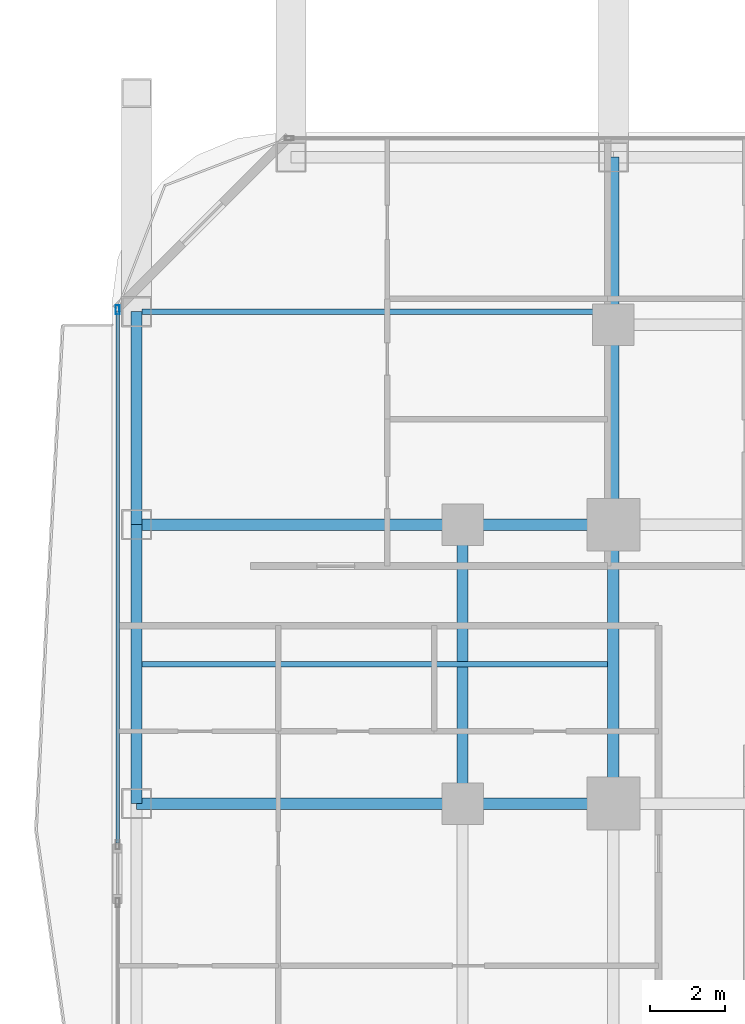
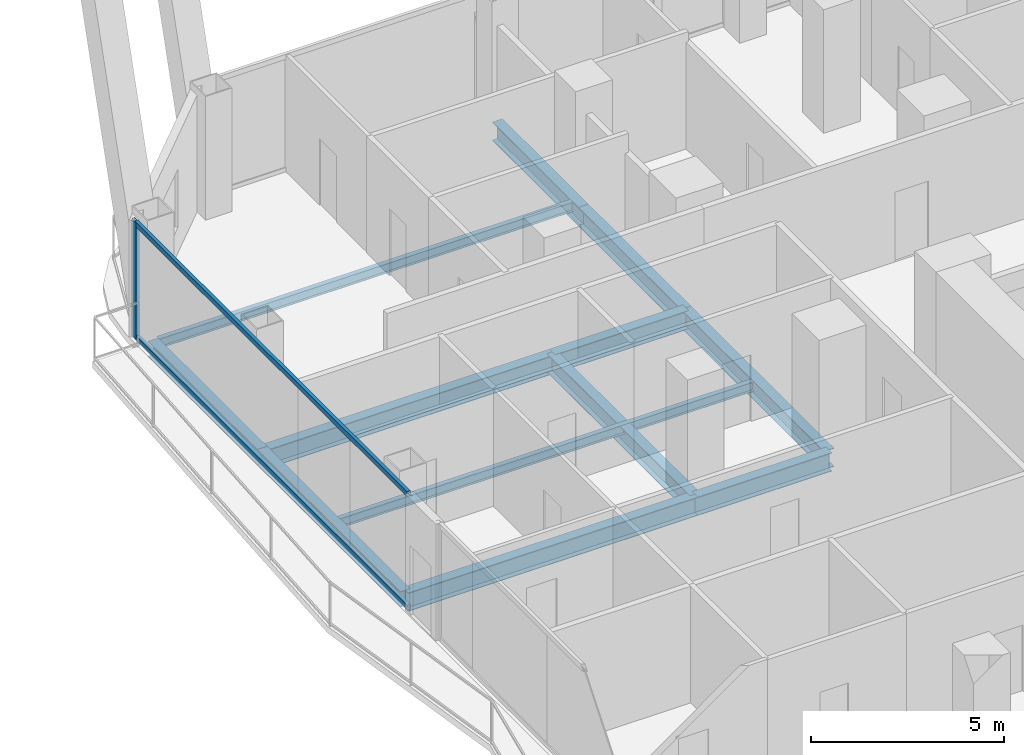
# One storey, part 13 of 33: 12 beams, 3 members, 1 element without a shape of its own.
"""IFC4 building model written with IfcOpenShell, lengths in metres."""

from ifc_helpers import new_model, si_unit, direction, frame, origin, origin_2d, place, context, subcontext, project, spatial, hollow_rectangle, i_section, extrude, material, layer, layer_set, material_profile, profile_set, type_object, element, aggregate, save


model = new_model("IFC4")

# Units and contexts
model_context = context("Model", 3, precision=1e-05, world=origin(), true_north=direction((0.0, 1.0)))
body_context = subcontext(model_context, "Body", "Model", "MODEL_VIEW")
ifc_project = project(units=[si_unit("LENGTHUNIT", "METRE"), si_unit("AREAUNIT", "SQUARE_METRE"), si_unit("VOLUMEUNIT", "CUBIC_METRE"), si_unit("PLANEANGLEUNIT", "RADIAN"), si_unit("MASSUNIT", "GRAM", prefix="KILO")], contexts=[model_context])

# Site, building, storey
site_placement = place(None, origin())
site = spatial("IfcSite", under=ifc_project, at=site_placement, CompositionType="ELEMENT")
building_placement = place(site_placement, origin())
building = spatial("IfcBuilding", under=site, at=building_placement, Name="Khorvyn Point Tower", CompositionType="ELEMENT")
storey_placement = place(building_placement, frame((0.0, 0.0, 65.699951171875)))
storey = spatial("IfcBuildingStorey", under=building, at=storey_placement, Name="L17", CompositionType="ELEMENT", Elevation=65.699951171875)

# Curtain wall, members
ifc_material_1 = material(Name="Anodised aluminium 6063-T6 and laminated Low-E glass", Category="aluminium")
ifc_layer = layer(ifc_material_1, 0.18994140625)
ifc_layer_set = layer_set([ifc_layer], Name="Stick-Built Finned Residential Curtain Wall CW-SYS-02")
curtain_wall_type = type_object("IfcCurtainWallType", Name="Stick-Built Finned Residential Curtain Wall CW-SYS-02", PredefinedType="NOTDEFINED", material=ifc_layer_set)
curtain_wall_placement = place(storey_placement, origin())
curtain_wall = element("IfcCurtainWall", 1, at=curtain_wall_placement, inside=storey, type_object=curtain_wall_type, Name="Curtain Wall", PredefinedType="NOTDEFINED")
ifc_material_2 = material(Name="Anodised aluminium 6063-T6", Category="aluminium")
ifc_material_profile_1 = material_profile(ifc_material_2, hollow_rectangle(XDim=0.10009765625, YDim=0.239990234375, WallThickness=0.0048828125, at=origin_2d()))
ifc_profile_set_1 = profile_set([ifc_material_profile_1], Name="Anodised aluminium 6063-T6 ALU-MUL-100x240")
member_type_1 = type_object("IfcMemberType", Name="Anodised Aluminium 6063-T6 Mullion ALU-MUL-100x240", PredefinedType="MULLION", material=ifc_profile_set_1)
member_1_placement = place(storey_placement, frame((-27.949951171875, 20.5, 0.0), z_axis=(0.0, 0.0, 1.0), x_axis=(-1.0, 0.0, 0.0)))
member_1 = element("IfcMember", 2, at=member_1_placement, type_object=member_type_1, Name="Transom", PredefinedType="MULLION", context=body_context, shape_type="SweptSolid", body=[
    extrude(hollow_rectangle(XDim=0.10009765625, YDim=0.239990234375, WallThickness=0.0048828125, at=origin_2d()), origin(), (0.0, 0.0, 1.0), 3.679931640625),
])
ifc_material_profile_2 = material_profile(ifc_material_2, hollow_rectangle(XDim=0.10009765625, YDim=0.159912109375, WallThickness=0.00439453125, at=origin_2d()))
ifc_profile_set_2 = profile_set([ifc_material_profile_2], Name="Anodised aluminium 6063-T6 ALU-TRN-100x160")
member_type_2 = type_object("IfcMemberType", Name="Anodised Aluminium 6063-T6 Transom ALU-TRN-100x160", PredefinedType="USERDEFINED", material=ifc_profile_set_2)
member_2_placement = place(storey_placement, frame((-27.949951171875, 6.35888671875, 0.050048828125), z_axis=(0.0, 1.0, 0.0), x_axis=(-1.0, 0.0, 0.0)))
member_2 = element("IfcMember", 3, at=member_2_placement, type_object=member_type_2, Name="Transom", ObjectType="TRANSOM", PredefinedType="USERDEFINED", context=body_context, shape_type="SweptSolid", body=[
    extrude(hollow_rectangle(XDim=0.10009765625, YDim=0.159912109375, WallThickness=0.00439453125, at=origin_2d()), origin(), (0.0, 0.0, 1.0), 14.091064453125),
])
member_3_placement = place(storey_placement, frame((-27.949951171875, 6.35888671875, 3.630126953125), z_axis=(0.0, 1.0, 0.0), x_axis=(-1.0, 0.0, 0.0)))
member_3 = element("IfcMember", 4, at=member_3_placement, type_object=member_type_2, Name="Transom", ObjectType="TRANSOM", PredefinedType="USERDEFINED", context=body_context, shape_type="SweptSolid", body=[
    extrude(hollow_rectangle(XDim=0.10009765625, YDim=0.159912109375, WallThickness=0.00439453125, at=origin_2d()), origin(), (0.0, 0.0, 1.0), 14.091064453125),
])
aggregate(curtain_wall, [member_1, member_2, member_3])

# Beams
ifc_material_3 = material(Name="Steel S355", Category="steel")
ifc_material_profile_3 = material_profile(ifc_material_3, i_section(OverallWidth=0.300048828125, OverallDepth=0.587890625, WebThickness=0.011962890625, FlangeThickness=0.02001953125, at=origin_2d()))
ifc_profile_set_3 = profile_set([ifc_material_profile_3], Name="Steel S355 H588x300x12x20")
beam_type_1 = type_object("IfcBeamType", Name="Steel S355 Beam H588x300x12x20", PredefinedType="BEAM", material=ifc_profile_set_3)
beam_1_placement = place(storey_placement, frame((-27.449951171875, 14.800048828125, -0.513916015625), z_axis=(1.0, 0.0, 0.0), x_axis=(0.0, 1.0, 0.0)))
element("IfcBeam", 5, at=beam_1_placement, inside=storey, type_object=beam_type_1, Name="Beam", PredefinedType="BEAM", context=body_context, shape_type="SweptSolid", body=[
    extrude(i_section(OverallWidth=0.300048828125, OverallDepth=0.587890625, WebThickness=0.011962890625, FlangeThickness=0.02001953125, at=origin_2d()), origin(), (0.0, 0.0, 1.0), 8.64990234375),
])
beam_2_placement = place(storey_placement, frame((-18.800048828125, 14.800048828125, -0.513916015625), z_axis=(1.0, 0.0, 0.0), x_axis=(0.0, 1.0, 0.0)))
element("IfcBeam", 6, at=beam_2_placement, inside=storey, type_object=beam_type_1, Name="Beam", PredefinedType="BEAM", context=body_context, shape_type="SweptSolid", body=[
    extrude(i_section(OverallWidth=0.300048828125, OverallDepth=0.587890625, WebThickness=0.011962890625, FlangeThickness=0.02001953125, at=origin_2d()), origin(), (0.0, 0.0, 1.0), 4.0),
])
beam_3_placement = place(storey_placement, frame((-27.449951171875, 7.39990234375, -0.513916015625), z_axis=(1.0, 0.0, 0.0), x_axis=(0.0, 1.0, 0.0)))
element("IfcBeam", 7, at=beam_3_placement, inside=storey, type_object=beam_type_1, Name="Beam", PredefinedType="BEAM", context=body_context, shape_type="SweptSolid", body=[
    extrude(i_section(OverallWidth=0.300048828125, OverallDepth=0.587890625, WebThickness=0.011962890625, FlangeThickness=0.02001953125, at=origin_2d()), origin(), (0.0, 0.0, 1.0), 8.64990234375),
])
beam_4_placement = place(storey_placement, frame((-18.800048828125, 7.39990234375, -0.513916015625), z_axis=(1.0, 0.0, 0.0), x_axis=(0.0, 1.0, 0.0)))
element("IfcBeam", 8, at=beam_4_placement, inside=storey, type_object=beam_type_1, Name="Beam", PredefinedType="BEAM", context=body_context, shape_type="SweptSolid", body=[
    extrude(i_section(OverallWidth=0.300048828125, OverallDepth=0.587890625, WebThickness=0.011962890625, FlangeThickness=0.02001953125, at=origin_2d()), origin(), (0.0, 0.0, 1.0), 4.0),
])
beam_5_placement = place(storey_placement, frame((-14.800048828125, 7.39990234375, -0.513916015625), z_axis=(0.0, 1.0, 0.0), x_axis=(-1.0, 0.0, 0.0)))
element("IfcBeam", 9, at=beam_5_placement, inside=storey, type_object=beam_type_1, Name="Beam", PredefinedType="BEAM", context=body_context, shape_type="SweptSolid", body=[
    extrude(i_section(OverallWidth=0.300048828125, OverallDepth=0.587890625, WebThickness=0.011962890625, FlangeThickness=0.02001953125, at=origin_2d()), origin(), (0.0, 0.0, 1.0), 7.400146484375),
])
beam_6_placement = place(storey_placement, frame((-14.800048828125, 14.800048828125, -0.513916015625), z_axis=(0.0, 1.0, 0.0), x_axis=(-1.0, 0.0, 0.0)))
element("IfcBeam", 10, at=beam_6_placement, inside=storey, type_object=beam_type_1, Name="Beam", PredefinedType="BEAM", context=body_context, shape_type="SweptSolid", body=[
    extrude(i_section(OverallWidth=0.300048828125, OverallDepth=0.587890625, WebThickness=0.011962890625, FlangeThickness=0.02001953125, at=origin_2d()), origin(), (0.0, 0.0, 1.0), 5.300048828125),
])
beam_7_placement = place(storey_placement, frame((-14.800048828125, 20.10009765625, -0.513916015625), z_axis=(0.0, 1.0, 0.0), x_axis=(-1.0, 0.0, 0.0)))
element("IfcBeam", 11, at=beam_7_placement, inside=storey, type_object=beam_type_1, Name="Beam", PredefinedType="BEAM", context=body_context, shape_type="SweptSolid", body=[
    extrude(i_section(OverallWidth=0.300048828125, OverallDepth=0.587890625, WebThickness=0.011962890625, FlangeThickness=0.02001953125, at=origin_2d()), origin(), (0.0, 0.0, 1.0), 4.449951171875),
])
beam_8_placement = place(storey_placement, frame((-18.800048828125, 7.39990234375, -0.513916015625), z_axis=(0.0, 1.0, 0.0), x_axis=(-1.0, 0.0, 0.0)))
element("IfcBeam", 12, at=beam_8_placement, inside=storey, type_object=beam_type_1, Name="Beam", PredefinedType="BEAM", context=body_context, shape_type="SweptSolid", body=[
    extrude(i_section(OverallWidth=0.300048828125, OverallDepth=0.587890625, WebThickness=0.011962890625, FlangeThickness=0.02001953125, at=origin_2d()), origin(), (0.0, 0.0, 1.0), 7.400146484375),
])
ifc_material_profile_4 = material_profile(ifc_material_3, i_section(OverallWidth=0.14990234375, OverallDepth=0.300048828125, WebThickness=0.006591796875, FlangeThickness=0.009033203125, at=origin_2d()))
ifc_profile_set_4 = profile_set([ifc_material_profile_4], Name="Steel S355 H300x150x6.5x9")
beam_type_2 = type_object("IfcBeamType", Name="Steel S355 Joist H300x150x6.5x9", PredefinedType="JOIST", material=ifc_profile_set_4)
for number, where, z_axis, x_axis, name in (
    (13, (-27.300048828125, 11.10009765625, -0.369873046875), (1.0, 0.0, 0.0), (0.0, 1.0, 0.0), "Beam"),
    (14, (-27.300048828125, 20.449951171875, -0.369873046875), (1.0, 0.0, 0.0), (0.0, 1.0, 0.0), "Beam"),
):
    element("IfcBeam", number, at=place(storey_placement, frame(where, z_axis=z_axis, x_axis=x_axis)), inside=storey, type_object=beam_type_2, Name=name, PredefinedType="JOIST", context=body_context, shape_type="SweptSolid", body=[
        extrude(i_section(OverallWidth=0.14990234375, OverallDepth=0.300048828125, WebThickness=0.006591796875, FlangeThickness=0.009033203125, at=origin_2d()), origin(), (0.0, 0.0, 1.0), 12.35009765625),
    ])
ifc_material_profile_5 = material_profile(ifc_material_3, i_section(OverallWidth=0.300048828125, OverallDepth=0.488037109375, WebThickness=0.010986328125, FlangeThickness=0.01806640625, at=origin_2d()))
ifc_profile_set_5 = profile_set([ifc_material_profile_5], Name="Steel S355 H488x300x11x18")
beam_type_3 = type_object("IfcBeamType", Name="Steel S355 Spandrel H488x300x11x18", PredefinedType="SPANDREL", material=ifc_profile_set_5)
beam_9_placement = place(storey_placement, frame((-27.449951171875, 7.39990234375, -0.4638671875), z_axis=(0.0, 1.0, 0.0), x_axis=(-1.0, 0.0, 0.0)))
element("IfcBeam", 15, at=beam_9_placement, inside=storey, type_object=beam_type_3, Name="Beam", PredefinedType="SPANDREL", context=body_context, shape_type="SweptSolid", body=[
    extrude(i_section(OverallWidth=0.300048828125, OverallDepth=0.488037109375, WebThickness=0.010986328125, FlangeThickness=0.01806640625, at=origin_2d()), origin(), (0.0, 0.0, 1.0), 7.400146484375),
])
beam_10_placement = place(storey_placement, frame((-27.449951171875, 14.800048828125, -0.4638671875), z_axis=(0.0, 1.0, 0.0), x_axis=(-1.0, 0.0, 0.0)))
element("IfcBeam", 16, at=beam_10_placement, inside=storey, type_object=beam_type_3, Name="Beam", PredefinedType="SPANDREL", context=body_context, shape_type="SweptSolid", body=[
    extrude(i_section(OverallWidth=0.300048828125, OverallDepth=0.488037109375, WebThickness=0.010986328125, FlangeThickness=0.01806640625, at=origin_2d()), origin(), (0.0, 0.0, 1.0), 5.64990234375),
])

save(model, "model.ifc")
